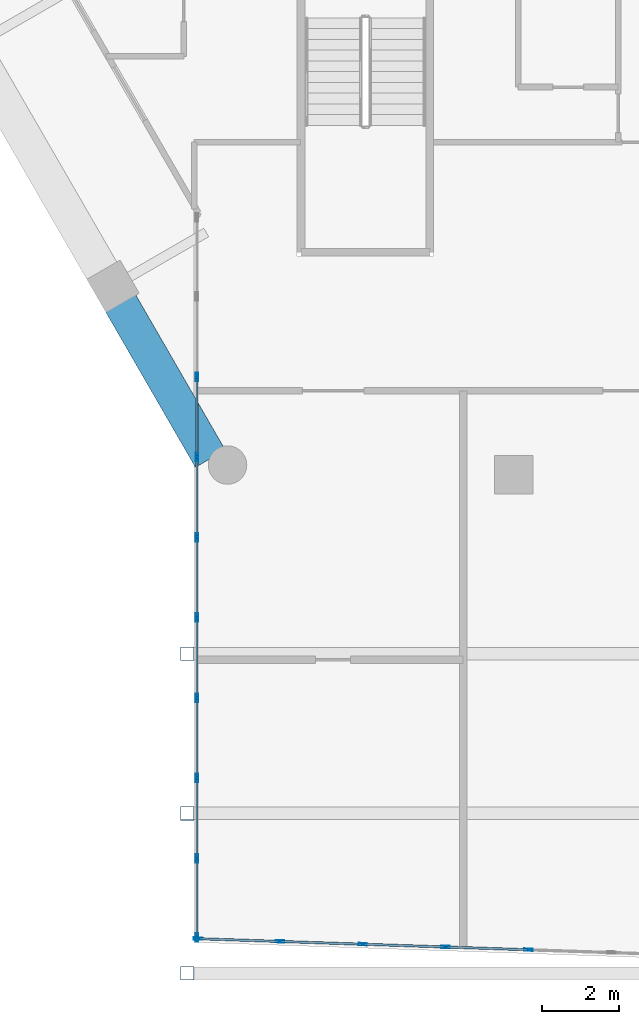
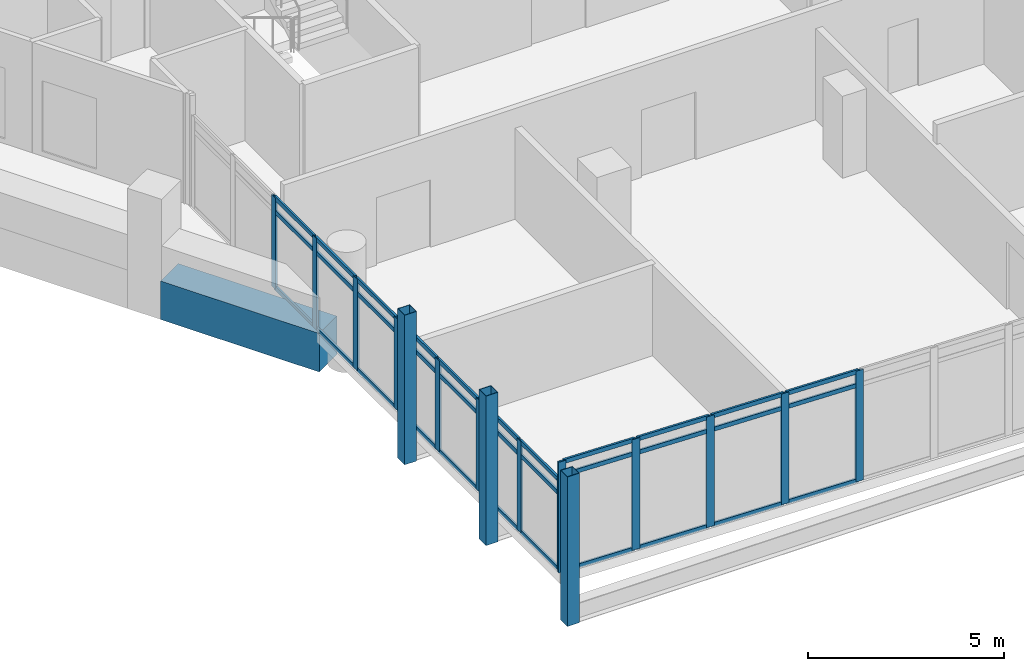
# One storey, part 2 of 29: 49 members, 1 beam, 2 elements without a shape of their own.
"""IFC4 building model written with IfcOpenShell, lengths in metres."""

from ifc_helpers import new_model, si_unit, direction, frame, origin, origin_2d, place, context, subcontext, project, spatial, rectangle, hollow_rectangle, extrude, material, material_profile, profile_set, type_object, element, aggregate, save


model = new_model("IFC4")

# Units and contexts
model_context = context("Model", 3, precision=1e-05, world=origin(), true_north=direction((0.0, 1.0)))
body_context = subcontext(model_context, "Body", "Model", "MODEL_VIEW")
ifc_project = project(units=[si_unit("LENGTHUNIT", "METRE"), si_unit("AREAUNIT", "SQUARE_METRE"), si_unit("VOLUMEUNIT", "CUBIC_METRE"), si_unit("PLANEANGLEUNIT", "RADIAN"), si_unit("MASSUNIT", "GRAM", prefix="KILO")], contexts=[model_context])

# Site, building, storey
site_placement = place(None, origin())
site = spatial("IfcSite", under=ifc_project, at=site_placement, CompositionType="ELEMENT")
building_placement = place(site_placement, origin())
building = spatial("IfcBuilding", under=site, at=building_placement, Name="Ostrander Bayou Hotel Tower", CompositionType="ELEMENT")
storey_placement = place(building_placement, frame((0.0, 0.0, 205.75)))
storey = spatial("IfcBuildingStorey", under=building, at=storey_placement, Name="L51", CompositionType="ELEMENT", Elevation=205.75)

# Curtain wall, members
ifc_material_1 = material(Name="Aluminium and clear glass", Category="aluminium")
curtain_wall_type = type_object("IfcCurtainWallType", Name="CW-BAR glazed wall", PredefinedType="NOTDEFINED", material=ifc_material_1)
curtain_wall_1_placement = place(storey_placement, origin())
curtain_wall_1 = element("IfcCurtainWall", 1, at=curtain_wall_1_placement, inside=storey, type_object=curtain_wall_type, Name="CW-BAR L51:SB4S:E", PredefinedType="NOTDEFINED")
ifc_material_2 = material(Name="Aluminium", Category="aluminium")
ifc_material_profile_1 = material_profile(ifc_material_2, hollow_rectangle(XDim=0.06005859375, YDim=0.219970703125, WallThickness=0.00390625, at=origin_2d()))
ifc_profile_set_1 = profile_set([ifc_material_profile_1], Name="Aluminium")
member_type_1 = type_object("IfcMemberType", Name="CW-BR mullion 60 x 220 mm", PredefinedType="MULLION", material=ifc_profile_set_1)
member_1_placement = place(storey_placement, frame((-11.857177734375, -14.63818359375, 0.0), z_axis=(0.0, 0.0, 1.0), x_axis=(1.0, 0.0, 0.0)))
member_1 = element("IfcMember", 2, at=member_1_placement, type_object=member_type_1, Name="CW-BAR mullion 3", PredefinedType="MULLION", context=body_context, shape_type="SweptSolid", body=[
    extrude(hollow_rectangle(XDim=0.06005859375, YDim=0.219970703125, WallThickness=0.00390625, at=origin_2d()), origin(), (0.0, 0.0, 1.0), 2.85009765625),
])
member_2_placement = place(storey_placement, frame((-11.857177734375, -16.72607421875, 0.0), z_axis=(0.0, 0.0, 1.0), x_axis=(1.0, 0.0, 0.0)))
member_2 = element("IfcMember", 3, at=member_2_placement, type_object=member_type_1, Name="CW-BAR mullion 4", PredefinedType="MULLION", context=body_context, shape_type="SweptSolid", body=[
    extrude(hollow_rectangle(XDim=0.06005859375, YDim=0.219970703125, WallThickness=0.00390625, at=origin_2d()), origin(), (0.0, 0.0, 1.0), 2.85009765625),
])
member_3_placement = place(storey_placement, frame((-11.857177734375, -18.813720703125, 0.0), z_axis=(0.0, 0.0, 1.0), x_axis=(1.0, 0.0, 0.0)))
member_3 = element("IfcMember", 4, at=member_3_placement, type_object=member_type_1, Name="CW-BAR mullion 5", PredefinedType="MULLION", context=body_context, shape_type="SweptSolid", body=[
    extrude(hollow_rectangle(XDim=0.06005859375, YDim=0.219970703125, WallThickness=0.00390625, at=origin_2d()), origin(), (0.0, 0.0, 1.0), 2.85009765625),
])
member_4_placement = place(storey_placement, frame((-11.857177734375, -20.9013671875, 0.0), z_axis=(0.0, 0.0, 1.0), x_axis=(1.0, 0.0, 0.0)))
member_4 = element("IfcMember", 5, at=member_4_placement, type_object=member_type_1, Name="CW-BAR mullion 6", PredefinedType="MULLION", context=body_context, shape_type="SweptSolid", body=[
    extrude(hollow_rectangle(XDim=0.06005859375, YDim=0.219970703125, WallThickness=0.00390625, at=origin_2d()), origin(), (0.0, 0.0, 1.0), 2.85009765625),
])
member_5_placement = place(storey_placement, frame((-11.857177734375, -22.9892578125, 0.0), z_axis=(0.0, 0.0, 1.0), x_axis=(1.0, 0.0, 0.0)))
member_5 = element("IfcMember", 6, at=member_5_placement, type_object=member_type_1, Name="CW-BAR mullion 7", PredefinedType="MULLION", context=body_context, shape_type="SweptSolid", body=[
    extrude(hollow_rectangle(XDim=0.06005859375, YDim=0.219970703125, WallThickness=0.00390625, at=origin_2d()), origin(), (0.0, 0.0, 1.0), 2.85009765625),
])
member_6_placement = place(storey_placement, frame((-11.857177734375, -25.076904296875, 0.0), z_axis=(0.0, 0.0, 1.0), x_axis=(1.0, 0.0, 0.0)))
member_6 = element("IfcMember", 7, at=member_6_placement, type_object=member_type_1, Name="CW-BAR mullion 8", PredefinedType="MULLION", context=body_context, shape_type="SweptSolid", body=[
    extrude(hollow_rectangle(XDim=0.06005859375, YDim=0.219970703125, WallThickness=0.00390625, at=origin_2d()), origin(), (0.0, 0.0, 1.0), 2.85009765625),
])
member_7_placement = place(storey_placement, frame((-11.857177734375, -27.164794921875, 0.0), z_axis=(0.0, 0.0, 1.0), x_axis=(1.0, 0.0, 0.0)))
member_7 = element("IfcMember", 8, at=member_7_placement, type_object=member_type_1, Name="CW-BAR mullion 9", PredefinedType="MULLION", context=body_context, shape_type="SweptSolid", body=[
    extrude(hollow_rectangle(XDim=0.06005859375, YDim=0.219970703125, WallThickness=0.00390625, at=origin_2d()), origin(), (0.0, 0.0, 1.0), 2.85009765625),
])
member_8_placement = place(storey_placement, frame((-11.857177734375, -29.222412109375, 0.0), z_axis=(0.0, 0.0, 1.0), x_axis=(1.0, 0.0, 0.0)))
member_8 = element("IfcMember", 9, at=member_8_placement, type_object=member_type_1, Name="CW-BAR mullion 10", PredefinedType="MULLION", context=body_context, shape_type="SweptSolid", body=[
    extrude(hollow_rectangle(XDim=0.06005859375, YDim=0.219970703125, WallThickness=0.00390625, at=origin_2d()), origin(), (0.0, 0.0, 1.0), 2.85009765625),
])

curtain_wall_2_placement = place(storey_placement, origin())
curtain_wall_2 = element("IfcCurtainWall", 10, at=curtain_wall_2_placement, inside=storey, type_object=curtain_wall_type, Name="CW-BAR L51:SB4S:T", PredefinedType="NOTDEFINED")
member_9_placement = place(storey_placement, frame((-11.8271484375, -29.25341796875, 0.0), z_axis=(0.0, 0.0, 1.0), x_axis=(0.03350511268, 0.999438546097, 0.0)))
member_9 = element("IfcMember", 11, at=member_9_placement, type_object=member_type_1, Name="CW-BAR mullion 1", PredefinedType="MULLION", context=body_context, shape_type="SweptSolid", body=[
    extrude(hollow_rectangle(XDim=0.06005859375, YDim=0.219970703125, WallThickness=0.00390625, at=origin_2d()), origin(), (0.0, 0.0, 1.0), 3.449951171875),
])
member_10_placement = place(storey_placement, frame((-9.701416015625, -29.32470703125, 0.0), z_axis=(0.0, 0.0, 1.0), x_axis=(0.03350511268, 0.999438546097, 0.0)))
member_10 = element("IfcMember", 12, at=member_10_placement, type_object=member_type_1, Name="CW-BAR mullion 2", PredefinedType="MULLION", context=body_context, shape_type="SweptSolid", body=[
    extrude(hollow_rectangle(XDim=0.06005859375, YDim=0.219970703125, WallThickness=0.00390625, at=origin_2d()), origin(), (0.0, 0.0, 1.0), 3.449951171875),
])
member_11_placement = place(storey_placement, frame((-7.54541015625, -29.39697265625, 0.0), z_axis=(0.0, 0.0, 1.0), x_axis=(0.03350511268, 0.999438546097, 0.0)))
member_11 = element("IfcMember", 13, at=member_11_placement, type_object=member_type_1, Name="CW-BAR mullion 3", PredefinedType="MULLION", context=body_context, shape_type="SweptSolid", body=[
    extrude(hollow_rectangle(XDim=0.06005859375, YDim=0.219970703125, WallThickness=0.00390625, at=origin_2d()), origin(), (0.0, 0.0, 1.0), 3.449951171875),
])
member_12_placement = place(storey_placement, frame((-5.3896484375, -29.46923828125, 0.0), z_axis=(0.0, 0.0, 1.0), x_axis=(0.03350511268, 0.999438546097, 0.0)))
member_12 = element("IfcMember", 14, at=member_12_placement, type_object=member_type_1, Name="CW-BAR mullion 4", PredefinedType="MULLION", context=body_context, shape_type="SweptSolid", body=[
    extrude(hollow_rectangle(XDim=0.06005859375, YDim=0.219970703125, WallThickness=0.00390625, at=origin_2d()), origin(), (0.0, 0.0, 1.0), 3.449951171875),
])
member_13_placement = place(storey_placement, frame((-3.23388671875, -29.54150390625, 0.0), z_axis=(0.0, 0.0, 1.0), x_axis=(0.03350511268, 0.999438546097, 0.0)))
member_13 = element("IfcMember", 15, at=member_13_placement, type_object=member_type_1, Name="CW-BAR mullion 5", PredefinedType="MULLION", context=body_context, shape_type="SweptSolid", body=[
    extrude(hollow_rectangle(XDim=0.06005859375, YDim=0.219970703125, WallThickness=0.00390625, at=origin_2d()), origin(), (0.0, 0.0, 1.0), 3.449951171875),
])

# Member
ifc_material_3 = material(Name="Aluminium", Category="aluminium")
ifc_material_profile_2 = material_profile(ifc_material_3, hollow_rectangle(XDim=0.06005859375, YDim=0.1298828125, WallThickness=0.00390625, at=origin_2d()))
ifc_profile_set_2 = profile_set([ifc_material_profile_2], Name="Aluminium")
member_type_2 = type_object("IfcMemberType", Name="CW-BR transom 60 x 130 mm", PredefinedType="USERDEFINED", material=ifc_profile_set_2)
member_14_placement = place(storey_placement, frame((-11.857177734375, -14.668212890625, 0.030029296875), z_axis=(0.0, -1.0, 0.0), x_axis=(1.0, 0.0, 0.0)))
member_14 = element("IfcMember", 16, at=member_14_placement, type_object=member_type_2, Name="CW-BAR transom 3.1", ObjectType="TRANSOM", PredefinedType="USERDEFINED", context=body_context, shape_type="SweptSolid", body=[
    extrude(hollow_rectangle(XDim=0.06005859375, YDim=0.1298828125, WallThickness=0.00390625, at=origin_2d()), origin(), (0.0, 0.0, 1.0), 2.02783203125),
])

member_15_placement = place(storey_placement, frame((-11.857177734375, -14.668212890625, 2.39990234375), z_axis=(0.0, -1.0, 0.0), x_axis=(1.0, 0.0, 0.0)))
member_15 = element("IfcMember", 17, at=member_15_placement, type_object=member_type_2, Name="CW-BAR transom 3.2", ObjectType="TRANSOM", PredefinedType="USERDEFINED", context=body_context, shape_type="SweptSolid", body=[
    extrude(hollow_rectangle(XDim=0.06005859375, YDim=0.1298828125, WallThickness=0.00390625, at=origin_2d()), origin(), (0.0, 0.0, 1.0), 2.02783203125),
])

member_16_placement = place(storey_placement, frame((-11.857177734375, -14.668212890625, 2.820068359375), z_axis=(0.0, -1.0, 0.0), x_axis=(1.0, 0.0, 0.0)))
member_16 = element("IfcMember", 18, at=member_16_placement, type_object=member_type_2, Name="CW-BAR transom 3.3", ObjectType="TRANSOM", PredefinedType="USERDEFINED", context=body_context, shape_type="SweptSolid", body=[
    extrude(hollow_rectangle(XDim=0.06005859375, YDim=0.1298828125, WallThickness=0.00390625, at=origin_2d()), origin(), (0.0, 0.0, 1.0), 2.02783203125),
])

member_17_placement = place(storey_placement, frame((-11.857177734375, -16.755859375, 0.030029296875), z_axis=(0.0, -1.0, 0.0), x_axis=(1.0, 0.0, 0.0)))
member_17 = element("IfcMember", 19, at=member_17_placement, type_object=member_type_2, Name="CW-BAR transom 4.1", ObjectType="TRANSOM", PredefinedType="USERDEFINED", context=body_context, shape_type="SweptSolid", body=[
    extrude(hollow_rectangle(XDim=0.06005859375, YDim=0.1298828125, WallThickness=0.00390625, at=origin_2d()), origin(), (0.0, 0.0, 1.0), 2.02783203125),
])

member_18_placement = place(storey_placement, frame((-11.857177734375, -16.755859375, 2.39990234375), z_axis=(0.0, -1.0, 0.0), x_axis=(1.0, 0.0, 0.0)))
member_18 = element("IfcMember", 20, at=member_18_placement, type_object=member_type_2, Name="CW-BAR transom 4.2", ObjectType="TRANSOM", PredefinedType="USERDEFINED", context=body_context, shape_type="SweptSolid", body=[
    extrude(hollow_rectangle(XDim=0.06005859375, YDim=0.1298828125, WallThickness=0.00390625, at=origin_2d()), origin(), (0.0, 0.0, 1.0), 2.02783203125),
])

member_19_placement = place(storey_placement, frame((-11.857177734375, -16.755859375, 2.820068359375), z_axis=(0.0, -1.0, 0.0), x_axis=(1.0, 0.0, 0.0)))
member_19 = element("IfcMember", 21, at=member_19_placement, type_object=member_type_2, Name="CW-BAR transom 4.3", ObjectType="TRANSOM", PredefinedType="USERDEFINED", context=body_context, shape_type="SweptSolid", body=[
    extrude(hollow_rectangle(XDim=0.06005859375, YDim=0.1298828125, WallThickness=0.00390625, at=origin_2d()), origin(), (0.0, 0.0, 1.0), 2.02783203125),
])

member_20_placement = place(storey_placement, frame((-11.857177734375, -18.84375, 0.030029296875), z_axis=(0.0, -1.0, 0.0), x_axis=(1.0, 0.0, 0.0)))
member_20 = element("IfcMember", 22, at=member_20_placement, type_object=member_type_2, Name="CW-BAR transom 5.1", ObjectType="TRANSOM", PredefinedType="USERDEFINED", context=body_context, shape_type="SweptSolid", body=[
    extrude(hollow_rectangle(XDim=0.06005859375, YDim=0.1298828125, WallThickness=0.00390625, at=origin_2d()), origin(), (0.0, 0.0, 1.0), 2.02783203125),
])

member_21_placement = place(storey_placement, frame((-11.857177734375, -18.84375, 2.39990234375), z_axis=(0.0, -1.0, 0.0), x_axis=(1.0, 0.0, 0.0)))
member_21 = element("IfcMember", 23, at=member_21_placement, type_object=member_type_2, Name="CW-BAR transom 5.2", ObjectType="TRANSOM", PredefinedType="USERDEFINED", context=body_context, shape_type="SweptSolid", body=[
    extrude(hollow_rectangle(XDim=0.06005859375, YDim=0.1298828125, WallThickness=0.00390625, at=origin_2d()), origin(), (0.0, 0.0, 1.0), 2.02783203125),
])

member_22_placement = place(storey_placement, frame((-11.857177734375, -18.84375, 2.820068359375), z_axis=(0.0, -1.0, 0.0), x_axis=(1.0, 0.0, 0.0)))
member_22 = element("IfcMember", 24, at=member_22_placement, type_object=member_type_2, Name="CW-BAR transom 5.3", ObjectType="TRANSOM", PredefinedType="USERDEFINED", context=body_context, shape_type="SweptSolid", body=[
    extrude(hollow_rectangle(XDim=0.06005859375, YDim=0.1298828125, WallThickness=0.00390625, at=origin_2d()), origin(), (0.0, 0.0, 1.0), 2.02783203125),
])

member_23_placement = place(storey_placement, frame((-11.857177734375, -20.931396484375, 0.030029296875), z_axis=(0.0, -1.0, 0.0), x_axis=(1.0, 0.0, 0.0)))
member_23 = element("IfcMember", 25, at=member_23_placement, type_object=member_type_2, Name="CW-BAR transom 6.1", ObjectType="TRANSOM", PredefinedType="USERDEFINED", context=body_context, shape_type="SweptSolid", body=[
    extrude(hollow_rectangle(XDim=0.06005859375, YDim=0.1298828125, WallThickness=0.00390625, at=origin_2d()), origin(), (0.0, 0.0, 1.0), 2.02783203125),
])

member_24_placement = place(storey_placement, frame((-11.857177734375, -20.931396484375, 2.39990234375), z_axis=(0.0, -1.0, 0.0), x_axis=(1.0, 0.0, 0.0)))
member_24 = element("IfcMember", 26, at=member_24_placement, type_object=member_type_2, Name="CW-BAR transom 6.2", ObjectType="TRANSOM", PredefinedType="USERDEFINED", context=body_context, shape_type="SweptSolid", body=[
    extrude(hollow_rectangle(XDim=0.06005859375, YDim=0.1298828125, WallThickness=0.00390625, at=origin_2d()), origin(), (0.0, 0.0, 1.0), 2.02783203125),
])

member_25_placement = place(storey_placement, frame((-11.857177734375, -20.931396484375, 2.820068359375), z_axis=(0.0, -1.0, 0.0), x_axis=(1.0, 0.0, 0.0)))
member_25 = element("IfcMember", 27, at=member_25_placement, type_object=member_type_2, Name="CW-BAR transom 6.3", ObjectType="TRANSOM", PredefinedType="USERDEFINED", context=body_context, shape_type="SweptSolid", body=[
    extrude(hollow_rectangle(XDim=0.06005859375, YDim=0.1298828125, WallThickness=0.00390625, at=origin_2d()), origin(), (0.0, 0.0, 1.0), 2.02783203125),
])

member_26_placement = place(storey_placement, frame((-11.857177734375, -23.019287109375, 0.030029296875), z_axis=(0.0, -1.0, 0.0), x_axis=(1.0, 0.0, 0.0)))
member_26 = element("IfcMember", 28, at=member_26_placement, type_object=member_type_2, Name="CW-BAR transom 7.1", ObjectType="TRANSOM", PredefinedType="USERDEFINED", context=body_context, shape_type="SweptSolid", body=[
    extrude(hollow_rectangle(XDim=0.06005859375, YDim=0.1298828125, WallThickness=0.00390625, at=origin_2d()), origin(), (0.0, 0.0, 1.0), 2.027587890625),
])

member_27_placement = place(storey_placement, frame((-11.857177734375, -23.019287109375, 2.39990234375), z_axis=(0.0, -1.0, 0.0), x_axis=(1.0, 0.0, 0.0)))
member_27 = element("IfcMember", 29, at=member_27_placement, type_object=member_type_2, Name="CW-BAR transom 7.2", ObjectType="TRANSOM", PredefinedType="USERDEFINED", context=body_context, shape_type="SweptSolid", body=[
    extrude(hollow_rectangle(XDim=0.06005859375, YDim=0.1298828125, WallThickness=0.00390625, at=origin_2d()), origin(), (0.0, 0.0, 1.0), 2.027587890625),
])

member_28_placement = place(storey_placement, frame((-11.857177734375, -23.019287109375, 2.820068359375), z_axis=(0.0, -1.0, 0.0), x_axis=(1.0, 0.0, 0.0)))
member_28 = element("IfcMember", 30, at=member_28_placement, type_object=member_type_2, Name="CW-BAR transom 7.3", ObjectType="TRANSOM", PredefinedType="USERDEFINED", context=body_context, shape_type="SweptSolid", body=[
    extrude(hollow_rectangle(XDim=0.06005859375, YDim=0.1298828125, WallThickness=0.00390625, at=origin_2d()), origin(), (0.0, 0.0, 1.0), 2.027587890625),
])

member_29_placement = place(storey_placement, frame((-11.857177734375, -25.10693359375, 0.030029296875), z_axis=(0.0, -1.0, 0.0), x_axis=(1.0, 0.0, 0.0)))
member_29 = element("IfcMember", 31, at=member_29_placement, type_object=member_type_2, Name="CW-BAR transom 8.1", ObjectType="TRANSOM", PredefinedType="USERDEFINED", context=body_context, shape_type="SweptSolid", body=[
    extrude(hollow_rectangle(XDim=0.06005859375, YDim=0.1298828125, WallThickness=0.00390625, at=origin_2d()), origin(), (0.0, 0.0, 1.0), 2.02783203125),
])

member_30_placement = place(storey_placement, frame((-11.857177734375, -25.10693359375, 2.39990234375), z_axis=(0.0, -1.0, 0.0), x_axis=(1.0, 0.0, 0.0)))
member_30 = element("IfcMember", 32, at=member_30_placement, type_object=member_type_2, Name="CW-BAR transom 8.2", ObjectType="TRANSOM", PredefinedType="USERDEFINED", context=body_context, shape_type="SweptSolid", body=[
    extrude(hollow_rectangle(XDim=0.06005859375, YDim=0.1298828125, WallThickness=0.00390625, at=origin_2d()), origin(), (0.0, 0.0, 1.0), 2.02783203125),
])

member_31_placement = place(storey_placement, frame((-11.857177734375, -25.10693359375, 2.820068359375), z_axis=(0.0, -1.0, 0.0), x_axis=(1.0, 0.0, 0.0)))
member_31 = element("IfcMember", 33, at=member_31_placement, type_object=member_type_2, Name="CW-BAR transom 8.3", ObjectType="TRANSOM", PredefinedType="USERDEFINED", context=body_context, shape_type="SweptSolid", body=[
    extrude(hollow_rectangle(XDim=0.06005859375, YDim=0.1298828125, WallThickness=0.00390625, at=origin_2d()), origin(), (0.0, 0.0, 1.0), 2.02783203125),
])

member_32_placement = place(storey_placement, frame((-11.857177734375, -27.19482421875, 0.030029296875), z_axis=(0.0, -1.0, 0.0), x_axis=(1.0, 0.0, 0.0)))
member_32 = element("IfcMember", 34, at=member_32_placement, type_object=member_type_2, Name="CW-BAR transom 9.1", ObjectType="TRANSOM", PredefinedType="USERDEFINED", context=body_context, shape_type="SweptSolid", body=[
    extrude(hollow_rectangle(XDim=0.06005859375, YDim=0.1298828125, WallThickness=0.00390625, at=origin_2d()), origin(), (0.0, 0.0, 1.0), 1.99755859375),
])

member_33_placement = place(storey_placement, frame((-11.857177734375, -27.19482421875, 2.39990234375), z_axis=(0.0, -1.0, 0.0), x_axis=(1.0, 0.0, 0.0)))
member_33 = element("IfcMember", 35, at=member_33_placement, type_object=member_type_2, Name="CW-BAR transom 9.2", ObjectType="TRANSOM", PredefinedType="USERDEFINED", context=body_context, shape_type="SweptSolid", body=[
    extrude(hollow_rectangle(XDim=0.06005859375, YDim=0.1298828125, WallThickness=0.00390625, at=origin_2d()), origin(), (0.0, 0.0, 1.0), 1.99755859375),
])

member_34_placement = place(storey_placement, frame((-11.857177734375, -27.19482421875, 2.820068359375), z_axis=(0.0, -1.0, 0.0), x_axis=(1.0, 0.0, 0.0)))
member_34 = element("IfcMember", 36, at=member_34_placement, type_object=member_type_2, Name="CW-BAR transom 9.3", ObjectType="TRANSOM", PredefinedType="USERDEFINED", context=body_context, shape_type="SweptSolid", body=[
    extrude(hollow_rectangle(XDim=0.06005859375, YDim=0.1298828125, WallThickness=0.00390625, at=origin_2d()), origin(), (0.0, 0.0, 1.0), 1.99755859375),
])

aggregate(curtain_wall_1, [member_1, member_2, member_3, member_4, member_5, member_6, member_7, member_8, member_14, member_15, member_16, member_17, member_18, member_19, member_20, member_21, member_22, member_23, member_24, member_25, member_26, member_27, member_28, member_29, member_30, member_31, member_32, member_33, member_34])

member_35_placement = place(storey_placement, frame((-11.797119140625, -29.25439453125, 0.030029296875), z_axis=(0.999437145028, -0.033546879705, 0.0), x_axis=(0.033546879705, 0.999437145028, 0.0)))
member_35 = element("IfcMember", 37, at=member_35_placement, type_object=member_type_2, Name="CW-BAR transom 1.1", ObjectType="TRANSOM", PredefinedType="USERDEFINED", context=body_context, shape_type="SweptSolid", body=[
    extrude(hollow_rectangle(XDim=0.06005859375, YDim=0.1298828125, WallThickness=0.00390625, at=origin_2d()), origin(), (0.0, 0.0, 1.0), 2.06689453125),
])

member_36_placement = place(storey_placement, frame((-11.797119140625, -29.25439453125, 3.0), z_axis=(0.999437145028, -0.033546879705, 0.0), x_axis=(0.033546879705, 0.999437145028, 0.0)))
member_36 = element("IfcMember", 38, at=member_36_placement, type_object=member_type_2, Name="CW-BAR transom 1.2", ObjectType="TRANSOM", PredefinedType="USERDEFINED", context=body_context, shape_type="SweptSolid", body=[
    extrude(hollow_rectangle(XDim=0.06005859375, YDim=0.1298828125, WallThickness=0.00390625, at=origin_2d()), origin(), (0.0, 0.0, 1.0), 2.06689453125),
])

member_37_placement = place(storey_placement, frame((-11.797119140625, -29.25439453125, 3.419921875), z_axis=(0.999437145028, -0.033546879705, 0.0), x_axis=(0.033546879705, 0.999437145028, 0.0)))
member_37 = element("IfcMember", 39, at=member_37_placement, type_object=member_type_2, Name="CW-BAR transom 1.3", ObjectType="TRANSOM", PredefinedType="USERDEFINED", context=body_context, shape_type="SweptSolid", body=[
    extrude(hollow_rectangle(XDim=0.06005859375, YDim=0.1298828125, WallThickness=0.00390625, at=origin_2d()), origin(), (0.0, 0.0, 1.0), 2.06689453125),
])

member_38_placement = place(storey_placement, frame((-9.67138671875, -29.32568359375, 0.030029296875), z_axis=(0.99943777778, -0.033528023297, 0.0), x_axis=(0.033528023297, 0.99943777778, 0.0)))
member_38 = element("IfcMember", 40, at=member_38_placement, type_object=member_type_2, Name="CW-BAR transom 2.1", ObjectType="TRANSOM", PredefinedType="USERDEFINED", context=body_context, shape_type="SweptSolid", body=[
    extrude(hollow_rectangle(XDim=0.06005859375, YDim=0.1298828125, WallThickness=0.00390625, at=origin_2d()), origin(), (0.0, 0.0, 1.0), 2.09716796875),
])

member_39_placement = place(storey_placement, frame((-9.67138671875, -29.32568359375, 3.0), z_axis=(0.99943777778, -0.033528023297, 0.0), x_axis=(0.033528023297, 0.99943777778, 0.0)))
member_39 = element("IfcMember", 41, at=member_39_placement, type_object=member_type_2, Name="CW-BAR transom 2.2", ObjectType="TRANSOM", PredefinedType="USERDEFINED", context=body_context, shape_type="SweptSolid", body=[
    extrude(hollow_rectangle(XDim=0.06005859375, YDim=0.1298828125, WallThickness=0.00390625, at=origin_2d()), origin(), (0.0, 0.0, 1.0), 2.09716796875),
])

member_40_placement = place(storey_placement, frame((-9.67138671875, -29.32568359375, 3.419921875), z_axis=(0.99943777778, -0.033528023297, 0.0), x_axis=(0.033528023297, 0.99943777778, 0.0)))
member_40 = element("IfcMember", 42, at=member_40_placement, type_object=member_type_2, Name="CW-BAR transom 2.3", ObjectType="TRANSOM", PredefinedType="USERDEFINED", context=body_context, shape_type="SweptSolid", body=[
    extrude(hollow_rectangle(XDim=0.06005859375, YDim=0.1298828125, WallThickness=0.00390625, at=origin_2d()), origin(), (0.0, 0.0, 1.0), 2.09716796875),
])

member_41_placement = place(storey_placement, frame((-7.515625, -29.39794921875, 0.030029296875), z_axis=(0.99943777778, -0.033528023297, 0.0), x_axis=(0.033528023297, 0.99943777778, 0.0)))
member_41 = element("IfcMember", 43, at=member_41_placement, type_object=member_type_2, Name="CW-BAR transom 3.1", ObjectType="TRANSOM", PredefinedType="USERDEFINED", context=body_context, shape_type="SweptSolid", body=[
    extrude(hollow_rectangle(XDim=0.06005859375, YDim=0.1298828125, WallThickness=0.00390625, at=origin_2d()), origin(), (0.0, 0.0, 1.0), 2.09716796875),
])

member_42_placement = place(storey_placement, frame((-7.515625, -29.39794921875, 3.0), z_axis=(0.99943777778, -0.033528023297, 0.0), x_axis=(0.033528023297, 0.99943777778, 0.0)))
member_42 = element("IfcMember", 44, at=member_42_placement, type_object=member_type_2, Name="CW-BAR transom 3.2", ObjectType="TRANSOM", PredefinedType="USERDEFINED", context=body_context, shape_type="SweptSolid", body=[
    extrude(hollow_rectangle(XDim=0.06005859375, YDim=0.1298828125, WallThickness=0.00390625, at=origin_2d()), origin(), (0.0, 0.0, 1.0), 2.09716796875),
])

member_43_placement = place(storey_placement, frame((-7.515625, -29.39794921875, 3.419921875), z_axis=(0.99943777778, -0.033528023297, 0.0), x_axis=(0.033528023297, 0.99943777778, 0.0)))
member_43 = element("IfcMember", 45, at=member_43_placement, type_object=member_type_2, Name="CW-BAR transom 3.3", ObjectType="TRANSOM", PredefinedType="USERDEFINED", context=body_context, shape_type="SweptSolid", body=[
    extrude(hollow_rectangle(XDim=0.06005859375, YDim=0.1298828125, WallThickness=0.00390625, at=origin_2d()), origin(), (0.0, 0.0, 1.0), 2.09716796875),
])

member_44_placement = place(storey_placement, frame((-5.359619140625, -29.47021484375, 0.030029296875), z_axis=(0.99943777778, -0.033528023297, 0.0), x_axis=(0.033528023297, 0.99943777778, 0.0)))
member_44 = element("IfcMember", 46, at=member_44_placement, type_object=member_type_2, Name="CW-BAR transom 4.1", ObjectType="TRANSOM", PredefinedType="USERDEFINED", context=body_context, shape_type="SweptSolid", body=[
    extrude(hollow_rectangle(XDim=0.06005859375, YDim=0.1298828125, WallThickness=0.00390625, at=origin_2d()), origin(), (0.0, 0.0, 1.0), 2.09716796875),
])

member_45_placement = place(storey_placement, frame((-5.359619140625, -29.47021484375, 3.0), z_axis=(0.99943777778, -0.033528023297, 0.0), x_axis=(0.033528023297, 0.99943777778, 0.0)))
member_45 = element("IfcMember", 47, at=member_45_placement, type_object=member_type_2, Name="CW-BAR transom 4.2", ObjectType="TRANSOM", PredefinedType="USERDEFINED", context=body_context, shape_type="SweptSolid", body=[
    extrude(hollow_rectangle(XDim=0.06005859375, YDim=0.1298828125, WallThickness=0.00390625, at=origin_2d()), origin(), (0.0, 0.0, 1.0), 2.09716796875),
])

member_46_placement = place(storey_placement, frame((-5.359619140625, -29.47021484375, 3.419921875), z_axis=(0.99943777778, -0.033528023297, 0.0), x_axis=(0.033528023297, 0.99943777778, 0.0)))
member_46 = element("IfcMember", 48, at=member_46_placement, type_object=member_type_2, Name="CW-BAR transom 4.3", ObjectType="TRANSOM", PredefinedType="USERDEFINED", context=body_context, shape_type="SweptSolid", body=[
    extrude(hollow_rectangle(XDim=0.06005859375, YDim=0.1298828125, WallThickness=0.00390625, at=origin_2d()), origin(), (0.0, 0.0, 1.0), 2.09716796875),
])

aggregate(curtain_wall_2, [member_9, member_10, member_11, member_12, member_13, member_35, member_36, member_37, member_38, member_39, member_40, member_41, member_42, member_43, member_44, member_45, member_46])

# Beam
ifc_material_4 = material(Name="Concrete f'c 60 MPa", Category="concrete")
ifc_material_profile_3 = material_profile(ifc_material_4, rectangle(XDim=0.89990234375, YDim=1.199951171875, at=origin_2d()))
ifc_profile_set_3 = profile_set([ifc_material_profile_3], Name="Concrete f'c 60 MPa")
beam_type = type_object("IfcBeamType", Name="SP3 spandrel beam 900 x 1200 mm f'c 60 MPa", PredefinedType="SPANDREL", material=ifc_profile_set_3)
beam_placement = place(storey_placement, frame((-13.847412109375, -12.71533203125, -0.60009765625), z_axis=(0.499966354109, -0.866044828377, 0.0), x_axis=(0.866044828377, 0.499966354109, 0.0)))
element("IfcBeam", 49, at=beam_placement, inside=storey, type_object=beam_type, Name="SP3 L51 SW-3", PredefinedType="SPANDREL", context=body_context, shape_type="SweptSolid", body=[
    extrude(rectangle(XDim=0.89990234375, YDim=1.199951171875, at=origin_2d()), origin(), (0.0, 0.0, 1.0), 4.678955078125),
])

# Members
ifc_material_5 = material(Name="Steel ASTM A500 Gr C", Category="steel")
ifc_material_profile_4 = material_profile(ifc_material_5, hollow_rectangle(XDim=0.355712890625, YDim=0.355712890625, WallThickness=0.0146484375, at=origin_2d()))
ifc_profile_set_4 = profile_set([ifc_material_profile_4], Name="Steel ASTM A500 Gr C")
member_type_3 = type_object("IfcMemberType", Name="TH1 bar hanger HSS14x14x5/8", PredefinedType="POST", material=ifc_profile_set_4)
for number, where, z_axis, x_axis, name in (
    (50, (-12.110107421875, -21.840576171875, -0.9111328125), (0.0, 0.0, 1.0), (1.0, 0.0, 0.0), "TH1 SB4SA H1-4"),
    (51, (-12.110107421875, -25.995361328125, -0.9111328125), (0.0, 0.0, 1.0), (1.0, 0.0, 0.0), "TH1 SB4SA H2-4"),
    (52, (-12.110107421875, -30.14990234375, -0.9111328125), (0.0, 0.0, 1.0), (1.0, 0.0, 0.0), "TH1 SB4SA H3-4"),
):
    element("IfcMember", number, at=place(storey_placement, frame(where, z_axis=z_axis, x_axis=x_axis)), inside=storey, type_object=member_type_3, Name=name, PredefinedType="POST", context=body_context, shape_type="SweptSolid", body=[
        extrude(hollow_rectangle(XDim=0.355712890625, YDim=0.355712890625, WallThickness=0.0146484375, at=origin_2d()), origin(), (0.0, 0.0, 1.0), 4.6611328125),
    ])

save(model, "model.ifc")
